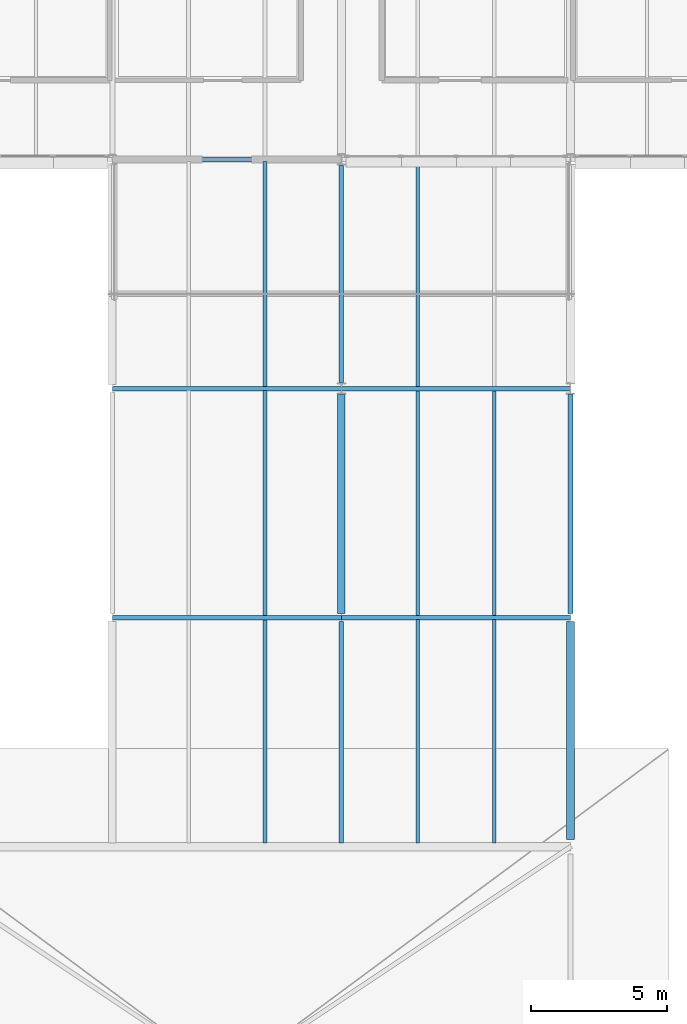
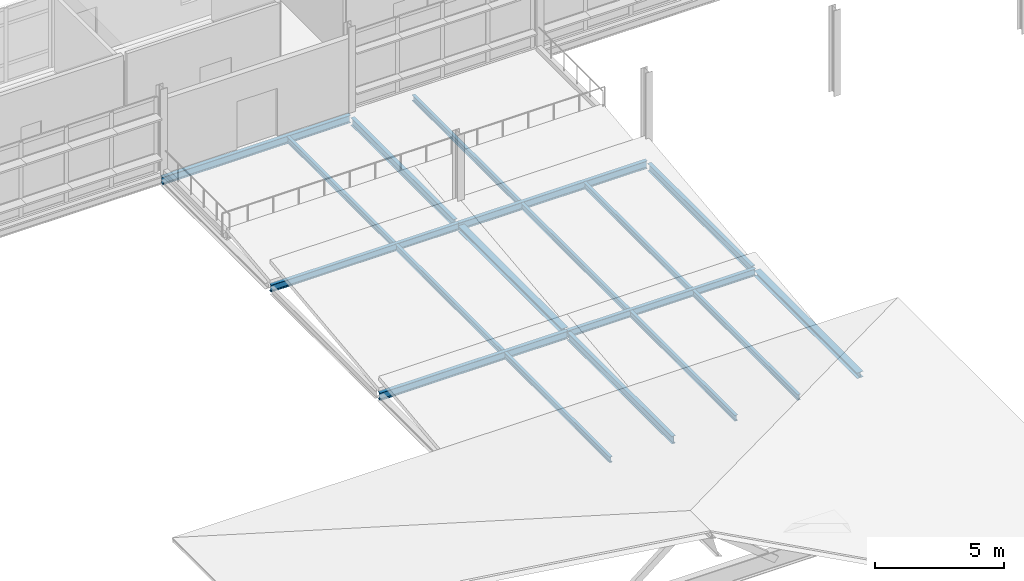
# One storey, part 20 of 66: 18 beams.
"""IFC4 building model written with IfcOpenShell, lengths in metres."""

from ifc_helpers import new_model, si_unit, direction, frame, origin, origin_2d, place, context, subcontext, project, spatial, i_section, extrude, material, material_profile, profile_set, type_object, element, save


model = new_model("IFC4")

# Units and contexts
model_context = context("Model", 3, precision=1e-05, world=origin(), true_north=direction((0.0, 1.0)))
body_context = subcontext(model_context, "Body", "Model", "MODEL_VIEW")
ifc_project = project(units=[si_unit("LENGTHUNIT", "METRE"), si_unit("AREAUNIT", "SQUARE_METRE"), si_unit("VOLUMEUNIT", "CUBIC_METRE"), si_unit("PLANEANGLEUNIT", "RADIAN"), si_unit("MASSUNIT", "GRAM", prefix="KILO")], contexts=[model_context])

# Site, building, storey
site_placement = place(None, origin())
site = spatial("IfcSite", under=ifc_project, at=site_placement, CompositionType="ELEMENT")
building_placement = place(site_placement, origin())
building = spatial("IfcBuilding", under=site, at=building_placement, Name="Mersafa Astral City Hall", CompositionType="ELEMENT")
storey_placement = place(building_placement, frame((0.0, 0.0, 22.050048828125)))
storey = spatial("IfcBuildingStorey", under=building, at=storey_placement, Name="L05", CompositionType="ELEMENT", Elevation=22.050048828125)

# Beams
ifc_material = material(Name="Steel S355", Category="steel")
ifc_material_profile_1 = material_profile(ifc_material, i_section(OverallWidth=0.135009765625, OverallDepth=0.27001953125, WebThickness=0.006591796875, FlangeThickness=0.01025390625, FilletRadius=0.014892578125, at=origin_2d()), Name="IPE 270")
ifc_profile_set_1 = profile_set([ifc_material_profile_1], Name="Steel S355")
beam_type_1 = type_object("IfcBeamType", Name="STR-BM-JOIST-IPE270", PredefinedType="JOIST", material=ifc_profile_set_1)
beam_1_placement = place(storey_placement, frame((106.39990234375, 92.544921875, -0.3349609375), z_axis=(0.0, 1.0, 0.0), x_axis=(-1.0, 0.0, 0.0)))
element("IfcBeam", 1, at=beam_1_placement, inside=storey, type_object=beam_type_1, Name="L05 Flat roof secondary joist 22", PredefinedType="JOIST", context=body_context, shape_type="SweptSolid", body=[
    extrude(i_section(OverallWidth=0.135009765625, OverallDepth=0.27001953125, WebThickness=0.006591796875, FlangeThickness=0.01025390625, FilletRadius=0.014892578125, at=origin_2d()), origin(), (0.0, 0.0, 1.0), 8.175048828125),
])
for number, where, z_axis, x_axis, name in (
    (2, (106.39990234375, 100.8798828125, -0.3349609375), (0.0, 1.0, 0.0), (-1.0, 0.0, 0.0), "L05 Flat roof secondary joist 24"),
    (3, (106.39990234375, 109.27490234375, -0.3349609375), (0.0, 1.0, 0.0), (-1.0, 0.0, 0.0), "L05 Flat roof secondary joist 26"),
):
    element("IfcBeam", number, at=place(storey_placement, frame(where, z_axis=z_axis, x_axis=x_axis)), inside=storey, type_object=beam_type_1, Name=name, PredefinedType="JOIST", context=body_context, shape_type="SweptSolid", body=[
        extrude(i_section(OverallWidth=0.135009765625, OverallDepth=0.27001953125, WebThickness=0.006591796875, FlangeThickness=0.01025390625, FilletRadius=0.014892578125, at=origin_2d()), origin(), (0.0, 0.0, 1.0), 8.2451171875),
    ])
for number, where, z_axis, x_axis, name in (
    (4, (112.0, 92.544921875, -0.3349609375), (0.0, 1.0, 0.0), (-1.0, 0.0, 0.0), "L05 Flat roof secondary joist 27"),
    (5, (114.800048828125, 92.544921875, -0.3349609375), (0.0, 1.0, 0.0), (-1.0, 0.0, 0.0), "L05 Flat roof secondary joist 28"),
):
    element("IfcBeam", number, at=place(storey_placement, frame(where, z_axis=z_axis, x_axis=x_axis)), inside=storey, type_object=beam_type_1, Name=name, PredefinedType="JOIST", context=body_context, shape_type="SweptSolid", body=[
        extrude(i_section(OverallWidth=0.135009765625, OverallDepth=0.27001953125, WebThickness=0.006591796875, FlangeThickness=0.01025390625, FilletRadius=0.014892578125, at=origin_2d()), origin(), (0.0, 0.0, 1.0), 8.18017578125),
    ])
for number, where, z_axis, x_axis, name in (
    (6, (112.0, 100.875, -0.3349609375), (0.0, 1.0, 0.0), (-1.0, 0.0, 0.0), "L05 Flat roof secondary joist 29"),
    (7, (114.800048828125, 100.875, -0.3349609375), (0.0, 1.0, 0.0), (-1.0, 0.0, 0.0), "L05 Flat roof secondary joist 30"),
):
    element("IfcBeam", number, at=place(storey_placement, frame(where, z_axis=z_axis, x_axis=x_axis)), inside=storey, type_object=beam_type_1, Name=name, PredefinedType="JOIST", context=body_context, shape_type="SweptSolid", body=[
        extrude(i_section(OverallWidth=0.135009765625, OverallDepth=0.27001953125, WebThickness=0.006591796875, FlangeThickness=0.01025390625, FilletRadius=0.014892578125, at=origin_2d()), origin(), (0.0, 0.0, 1.0), 8.2451171875),
    ])
beam_2_placement = place(storey_placement, frame((112.0, 109.280029296875, -0.3349609375), z_axis=(0.0, 1.0, 0.0), x_axis=(-1.0, 0.0, 0.0)))
element("IfcBeam", 8, at=beam_2_placement, inside=storey, type_object=beam_type_1, Name="L05 Flat roof secondary joist 31", PredefinedType="JOIST", context=body_context, shape_type="SweptSolid", body=[
    extrude(i_section(OverallWidth=0.135009765625, OverallDepth=0.27001953125, WebThickness=0.006591796875, FlangeThickness=0.01025390625, FilletRadius=0.014892578125, at=origin_2d()), origin(), (0.0, 0.0, 1.0), 8.244873046875),
])
ifc_material_profile_2 = material_profile(ifc_material, i_section(OverallWidth=0.280029296875, OverallDepth=0.27001953125, WebThickness=0.008056640625, FlangeThickness=0.012939453125, FilletRadius=0.02392578125, at=origin_2d()), Name="HEA 280")
ifc_profile_set_2 = profile_set([ifc_material_profile_2], Name="Steel S355")
beam_type_2 = type_object("IfcBeamType", Name="STR-BM-SPANDREL-HEA280", PredefinedType="SPANDREL", material=ifc_profile_set_2)
beam_3_placement = place(storey_placement, frame((109.199951171875, 100.945068359375, -0.3349609375), z_axis=(0.0, 1.0, 0.0), x_axis=(-1.0, 0.0, 0.0)))
element("IfcBeam", 9, at=beam_3_placement, inside=storey, type_object=beam_type_2, Name="L05 Primary girder Y 13-12", PredefinedType="SPANDREL", context=body_context, shape_type="SweptSolid", body=[
    extrude(i_section(OverallWidth=0.280029296875, OverallDepth=0.27001953125, WebThickness=0.008056640625, FlangeThickness=0.012939453125, FilletRadius=0.02392578125, at=origin_2d()), origin(), (0.0, 0.0, 1.0), 8.034912109375),
])
beam_4_placement = place(storey_placement, frame((117.60009765625, 92.669921875, -0.3349609375), z_axis=(0.0, 1.0, 0.0), x_axis=(-1.0, 0.0, 0.0)))
element("IfcBeam", 10, at=beam_4_placement, inside=storey, type_object=beam_type_2, Name="L05 Primary girder Y 14-11", PredefinedType="SPANDREL", context=body_context, shape_type="SweptSolid", body=[
    extrude(i_section(OverallWidth=0.280029296875, OverallDepth=0.27001953125, WebThickness=0.008056640625, FlangeThickness=0.012939453125, FilletRadius=0.02392578125, at=origin_2d()), origin(), (0.0, 0.0, 1.0), 7.985107421875),
])
ifc_material_profile_3 = material_profile(ifc_material, i_section(OverallWidth=0.159912109375, OverallDepth=0.330078125, WebThickness=0.007568359375, FlangeThickness=0.011474609375, FilletRadius=0.01806640625, at=origin_2d()), Name="IPE 330")
ifc_profile_set_3 = profile_set([ifc_material_profile_3], Name="Steel S355")
beam_type_3 = type_object("IfcBeamType", Name="STR-BM-SPANDREL-IPE330", PredefinedType="SPANDREL", material=ifc_profile_set_3)
for number, where, z_axis, x_axis, name in (
    (11, (109.202880859375, 100.800048828125, -0.364990234375), (1.0, 0.0, 0.0), (0.0, 1.0, 0.0), "L05 Primary girder X 13-12"),
    (12, (100.802978515625, 109.199951171875, -0.364990234375), (1.0, 0.0, 0.0), (0.0, 1.0, 0.0), "L05 Primary girder X 12-13"),
):
    element("IfcBeam", number, at=place(storey_placement, frame(where, z_axis=z_axis, x_axis=x_axis)), inside=storey, type_object=beam_type_3, Name=name, PredefinedType="SPANDREL", context=body_context, shape_type="SweptSolid", body=[
        extrude(i_section(OverallWidth=0.159912109375, OverallDepth=0.330078125, WebThickness=0.007568359375, FlangeThickness=0.011474609375, FilletRadius=0.01806640625, at=origin_2d()), origin(), (0.0, 0.0, 1.0), 8.39404296875),
    ])
ifc_material_profile_4 = material_profile(ifc_material, i_section(OverallWidth=0.169921875, OverallDepth=0.360107421875, WebThickness=0.008056640625, FlangeThickness=0.0126953125, FilletRadius=0.01806640625, at=origin_2d()), Name="IPE 360")
ifc_profile_set_4 = profile_set([ifc_material_profile_4], Name="Steel S355")
beam_type_4 = type_object("IfcBeamType", Name="STR-BM-SPANDREL-IPE360", PredefinedType="SPANDREL", material=ifc_profile_set_4)
for number, where, z_axis, x_axis, name in (
    (13, (100.802978515625, 100.800048828125, -0.380126953125), (1.0, 0.0, 0.0), (0.0, 1.0, 0.0), "L05 Primary girder X 12-12"),
    (14, (109.202880859375, 109.199951171875, -0.380126953125), (1.0, 0.0, 0.0), (0.0, 1.0, 0.0), "L05 Primary girder X 13-13"),
    (15, (100.802978515625, 117.60009765625, -0.380126953125), (1.0, 0.0, 0.0), (0.0, 1.0, 0.0), "L05 Primary girder X 12-14"),
):
    element("IfcBeam", number, at=place(storey_placement, frame(where, z_axis=z_axis, x_axis=x_axis)), inside=storey, type_object=beam_type_4, Name=name, PredefinedType="SPANDREL", context=body_context, shape_type="SweptSolid", body=[
        extrude(i_section(OverallWidth=0.169921875, OverallDepth=0.360107421875, WebThickness=0.008056640625, FlangeThickness=0.0126953125, FilletRadius=0.01806640625, at=origin_2d()), origin(), (0.0, 0.0, 1.0), 8.39404296875),
    ])
beam_5_placement = place(storey_placement, frame((109.199951171875, 92.544921875, -0.380126953125), z_axis=(0.0, 1.0, 0.0), x_axis=(-1.0, 0.0, 0.0)))
element("IfcBeam", 16, at=beam_5_placement, inside=storey, type_object=beam_type_4, Name="L05 Primary girder Y 13-11", PredefinedType="SPANDREL", context=body_context, shape_type="SweptSolid", body=[
    extrude(i_section(OverallWidth=0.169921875, OverallDepth=0.360107421875, WebThickness=0.008056640625, FlangeThickness=0.0126953125, FilletRadius=0.01806640625, at=origin_2d()), origin(), (0.0, 0.0, 1.0), 8.110107421875),
])
beam_6_placement = place(storey_placement, frame((109.199951171875, 109.419921875, -0.380126953125), z_axis=(0.0, 1.0, 0.0), x_axis=(-1.0, 0.0, 0.0)))
element("IfcBeam", 17, at=beam_6_placement, inside=storey, type_object=beam_type_4, Name="L05 Primary girder Y 13-13", PredefinedType="SPANDREL", context=body_context, shape_type="SweptSolid", body=[
    extrude(i_section(OverallWidth=0.169921875, OverallDepth=0.360107421875, WebThickness=0.008056640625, FlangeThickness=0.0126953125, FilletRadius=0.01806640625, at=origin_2d()), origin(), (0.0, 0.0, 1.0), 7.9599609375),
])
beam_7_placement = place(storey_placement, frame((117.60009765625, 100.945068359375, -0.380126953125), z_axis=(0.0, 1.0, 0.0), x_axis=(-1.0, 0.0, 0.0)))
element("IfcBeam", 18, at=beam_7_placement, inside=storey, type_object=beam_type_4, Name="L05 Primary girder Y 14-12", PredefinedType="SPANDREL", context=body_context, shape_type="SweptSolid", body=[
    extrude(i_section(OverallWidth=0.169921875, OverallDepth=0.360107421875, WebThickness=0.008056640625, FlangeThickness=0.0126953125, FilletRadius=0.01806640625, at=origin_2d()), origin(), (0.0, 0.0, 1.0), 8.034912109375),
])

save(model, "model.ifc")
